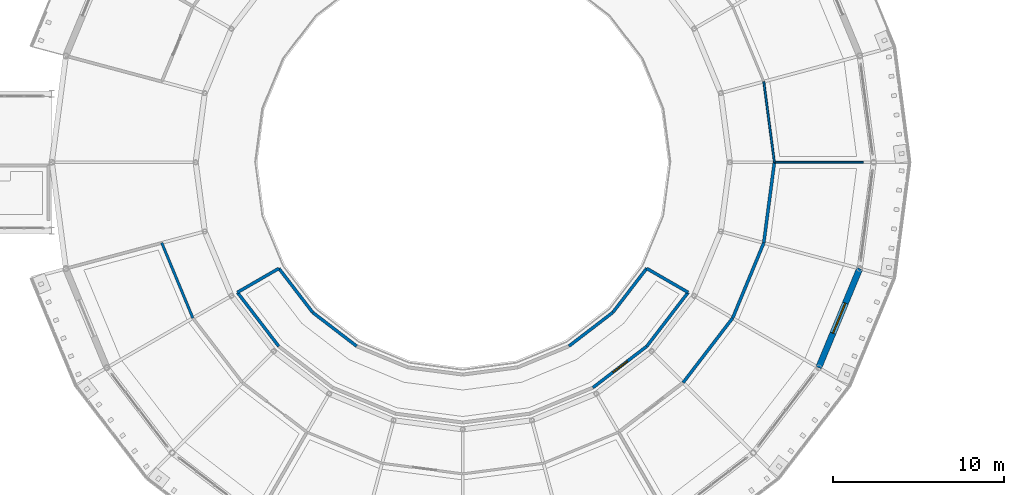
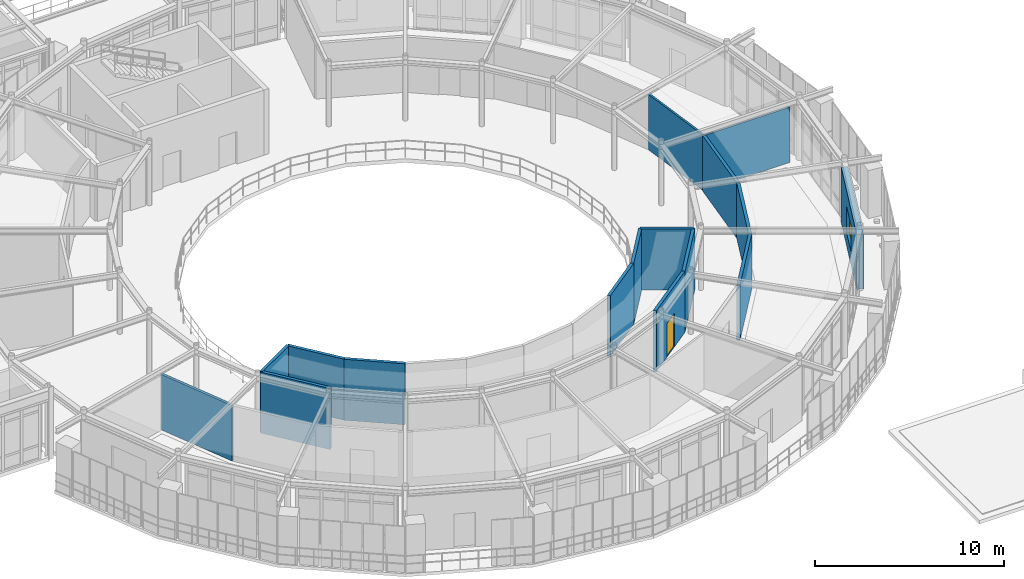
# One storey, part 74 of 90: 16 walls, 1 door, 1 window, 2 openings.
"""IFC4 building model written with IfcOpenShell, lengths in metres."""

from ifc_helpers import new_model, si_unit, derived_unit, direction, frame, frame_2d, origin, place, context, subcontext, project, spatial, rectangle, extrude, material, layer, layer_set, type_object, element, fill, save


model = new_model("IFC4")

# Units and contexts
model_context = context("Model", 3, precision=1e-05, world=origin(), true_north=direction((0.0, 1.0)))
body_context = subcontext(model_context, "Body", "Model", "MODEL_VIEW")
ifc_project = project(units=[si_unit("LENGTHUNIT", "METRE"), si_unit("AREAUNIT", "SQUARE_METRE"), si_unit("VOLUMEUNIT", "CUBIC_METRE"), si_unit("PLANEANGLEUNIT", "RADIAN"), si_unit("MASSUNIT", "GRAM", prefix="KILO"), derived_unit("THERMALTRANSMITTANCEUNIT", [(si_unit("POWERUNIT", "WATT"), 1), (si_unit("AREAUNIT", "SQUARE_METRE"), -1), (si_unit("THERMODYNAMICTEMPERATUREUNIT", "KELVIN"), -1)])], contexts=[model_context])

# Site, building, storey
site_placement = place(None, origin())
site = spatial("IfcSite", under=ifc_project, at=site_placement, CompositionType="ELEMENT")
building_placement = place(site_placement, origin())
building = spatial("IfcBuilding", under=site, at=building_placement, Name="Yasenodar Specialist Clinic", CompositionType="ELEMENT")
storey_placement = place(building_placement, frame((0.0, 0.0, 9.0)))
storey = spatial("IfcBuildingStorey", under=building, at=storey_placement, Name="L02", CompositionType="ELEMENT", Elevation=9.0)

# Wall, opening, window
ifc_material_1 = material(Name="Drum Insulated Terracotta Chord Wall", Category="masonry")
ifc_layer_1 = layer(ifc_material_1, 0.364990234375)
ifc_layer_set_1 = layer_set([ifc_layer_1], Name="Drum Insulated Terracotta Chord Wall")
wall_type_1 = type_object("IfcWallType", Name="EW-DRUM-365", PredefinedType="SOLIDWALL", material=ifc_layer_set_1)
wall_1_placement = place(storey_placement, frame((104.18212890625, 52.58837890625, 0.0), z_axis=(0.0, 0.0, 1.0), x_axis=(-0.382663829839, -0.9238876519, 0.0)))
wall_1 = element("IfcWall", 1, at=wall_1_placement, inside=storey, type_object=wall_type_1, Name="L02 Exterior Facade Wall 0023", PredefinedType="SOLIDWALL", context=body_context, shape_type="SweptSolid", body=[
    extrude(rectangle(XDim=6.26513671875, YDim=0.364990234375, at=frame_2d((3.132568359375, 0.0))), origin(), (0.0, 0.0, 1.0), 3.5380859375),
])
opening_1_placement = place(wall_1_placement, frame((2.1826171875, 0.0, 0.85009765625)))
opening_1 = element("IfcOpeningElement", 2, at=opening_1_placement, cuts=wall_1, Name="Opening W-17", PredefinedType="OPENING", context=body_context, shape_type="SweptSolid", body=[
    extrude(rectangle(XDim=1.89990234375, YDim=1.699951171875, at=frame_2d((0.949951171875, 0.85009765625))), frame((0.0, 0.1923828125, 0.0), z_axis=(0.0, -1.0, 0.0), x_axis=(1.0, 0.0, 0.0)), (0.0, 0.0, 1.0), 0.385009765625),
])
ifc_material_2 = material(Name="Triple Low-E Argon Glazing in Bronze Aluminium Frame", Category="aluminium")
window_type = type_object("IfcWindowType", Name="WIN-EXT-17", PartitioningType="SINGLE_PANEL", PredefinedType="WINDOW", material=ifc_material_2)
window_placement = place(opening_1_placement, origin())
window = element("IfcWindow", 3, at=window_placement, inside=storey, type_object=window_type, Name="L02 Triple-Glazed Reveal Window 0013", OverallHeight=1.699951171875, OverallWidth=1.89990234375, PartitioningType="SINGLE_PANEL", PredefinedType="WINDOW", context=body_context, shape_type="SweptSolid", body=[
    extrude(rectangle(XDim=1.89990234375, YDim=1.699951171875, at=frame_2d((0.949951171875, 0.85009765625))), frame((0.0, 0.030029296875, 0.0), z_axis=(0.0, -1.0, 0.0), x_axis=(1.0, 0.0, 0.0)), (0.0, 0.0, 1.0), 0.06005859375),
])
fill(opening_1, window)

# Walls
ifc_material_3 = material(Name="Outpatient Examination Partition")
ifc_layer_2 = layer(ifc_material_3, 0.14990234375)
ifc_layer_set_2 = layer_set([ifc_layer_2], Name="Outpatient Examination Partition")
wall_type_2 = type_object("IfcWallType", Name="IW-CONS-150", PredefinedType="PARTITIONING", material=ifc_layer_set_2)
wall_2_placement = place(storey_placement, frame((63.420166015625, 54.089599609375, 0.0), z_axis=(0.0, 0.0, 1.0), x_axis=(0.382658877568, -0.923889703059, 0.0)))
element("IfcWall", 4, at=wall_2_placement, inside=storey, type_object=wall_type_2, Name="L02 Neurology Day-Infusion Suite Partition", PredefinedType="PARTITIONING", context=body_context, shape_type="SweptSolid", body=[
    extrude(rectangle(XDim=4.751220703125, YDim=0.14990234375, at=frame_2d((2.37548828125, 0.0))), origin(), (0.0, 0.0, 1.0), 3.568115234375),
])
ifc_material_4 = material(Name="Lightweight Counseling Partition")
ifc_layer_3 = layer(ifc_material_4, 0.114990234375)
ifc_layer_set_3 = layer_set([ifc_layer_3], Name="Lightweight Counseling Partition")
wall_type_3 = type_object("IfcWallType", Name="IW-PART-115", PredefinedType="PARTITIONING", material=ifc_layer_set_3)
wall_3_placement = place(storey_placement, frame((99.199951171875, 58.800048828125, 0.0), z_axis=(0.0, 0.0, 1.0), x_axis=(-0.130520975042, 0.991445548214, 0.0)))
element("IfcWall", 5, at=wall_3_placement, inside=storey, type_object=wall_type_3, Name="L02 Targeted Biologics Infusion Suite Partition", PredefinedType="PARTITIONING", context=body_context, shape_type="SweptSolid", body=[
    extrude(rectangle(XDim=4.7509765625, YDim=0.114990234375, at=frame_2d((2.37548828125, 0.0))), origin(), (0.0, 0.0, 1.0), 3.568115234375),
])
wall_4_placement = place(storey_placement, frame((104.39990234375, 58.800048828125, 0.0), z_axis=(0.0, 0.0, 1.0), x_axis=(-1.0, 0.0, 0.0)))
element("IfcWall", 6, at=wall_4_placement, inside=storey, type_object=wall_type_3, Name="L02 Targeted Biologics Infusion Suite Partition", PredefinedType="PARTITIONING", context=body_context, shape_type="SweptSolid", body=[
    extrude(rectangle(XDim=5.199951171875, YDim=0.114990234375, at=frame_2d((2.60009765625, 0.0))), origin(), (0.0, 0.0, 1.0), 3.568115234375),
])
ifc_material_5 = material(Name="Hygienic Double-Stud Clinical Partition")
ifc_layer_4 = layer(ifc_material_5, 0.179931640625)
ifc_layer_set_4 = layer_set([ifc_layer_4], Name="Hygienic Double-Stud Clinical Partition")
wall_type_4 = type_object("IfcWallType", Name="IW-PROC-180", PredefinedType="PARTITIONING", material=ifc_layer_set_4)
for number, where, z_axis, x_axis, name in (
    (7, (93.869384765625, 45.9306640625, 0.0), (0.0, 0.0, 1.0), (0.608769147025, 0.793347417989, 0.0), "L02 Post-Infusion Quiet Recovery Lounge Partition"),
    (8, (96.76171875, 49.699951171875, 0.0), (0.0, 0.0, 1.0), (0.382658877568, 0.923889703059, 0.0), "L02 Post-Infusion Quiet Recovery Lounge Partition"),
):
    element("IfcWall", number, at=place(storey_placement, frame(where, z_axis=z_axis, x_axis=x_axis)), inside=storey, type_object=wall_type_4, Name=name, PredefinedType="PARTITIONING", context=body_context, shape_type="SweptSolid", body=[
        extrude(rectangle(XDim=4.751220703125, YDim=0.179931640625, at=frame_2d((2.37548828125, 0.0))), origin(), (0.0, 0.0, 1.0), 3.568115234375),
    ])
wall_5_placement = place(storey_placement, frame((98.579833984375, 54.089599609375, 0.0), z_axis=(0.0, 0.0, 1.0), x_axis=(0.130561305543, 0.991440237985, 0.0)))
element("IfcWall", 9, at=wall_5_placement, inside=storey, type_object=wall_type_4, Name="L02 Post-Infusion Quiet Recovery Lounge Partition", PredefinedType="PARTITIONING", context=body_context, shape_type="SweptSolid", body=[
    extrude(rectangle(XDim=4.73095703125, YDim=0.179931640625, at=frame_2d((2.365478515625, 0.0))), origin(), (0.0, 0.0, 1.0), 3.568115234375),
])

# Wall, opening, door
wall_6_placement = place(storey_placement, frame((91.748046875, 48.052001953125, 0.0), z_axis=(0.0, 0.0, 1.0), x_axis=(-0.79335079014, -0.608764752416, 0.0)))
wall_6 = element("IfcWall", 10, at=wall_6_placement, inside=storey, type_object=wall_type_4, Name="L02 Upper Drum Observation Gallery Partition", PredefinedType="PARTITIONING", context=body_context, shape_type="SweptSolid", body=[
    extrude(rectangle(XDim=3.968017578125, YDim=0.179931640625, at=frame_2d((1.98388671875, 0.0))), origin(), (0.0, 0.0, 1.0), 3.929931640625),
])
opening_2_placement = place(wall_6_placement, frame((1.43408203125, 0.0, 0.0)))
opening_2 = element("IfcOpeningElement", 11, at=opening_2_placement, cuts=wall_6, Name="Opening D-04", PredefinedType="OPENING", context=body_context, shape_type="SweptSolid", body=[
    extrude(rectangle(XDim=1.06005859375, YDim=2.159912109375, at=frame_2d((0.530029296875, 1.080078125))), frame((0.0, 0.10009765625, 0.0), z_axis=(0.0, -1.0, 0.0), x_axis=(1.0, 0.0, 0.0)), (0.0, 0.0, 1.0), 0.199951171875),
])
ifc_material_6 = material(Name="Powder-Coated Steel and Acoustic Laminate Leaf", Category="steel")
door_type = type_object("IfcDoorType", Name="DR-CLN-106", OperationType="NOTDEFINED", PredefinedType="DOOR", material=ifc_material_6)
door_placement = place(opening_2_placement, origin())
door = element("IfcDoor", 12, at=door_placement, inside=storey, type_object=door_type, Name="L02 Upper Drum Observation Gallery Door", OperationType="SINGLE_SWING_LEFT", OverallHeight=2.159912109375, OverallWidth=1.06005859375, PredefinedType="DOOR", context=body_context, shape_type="SweptSolid", body=[
    extrude(rectangle(XDim=1.06005859375, YDim=2.159912109375, at=frame_2d((0.530029296875, 1.080078125))), frame((0.0, 0.02490234375, 0.0), z_axis=(0.0, -1.0, 0.0), x_axis=(1.0, 0.0, 0.0)), (0.0, 0.0, 1.0), 0.050048828125),
])
fill(opening_2, door)

# Walls
for number, where, z_axis, x_axis, name in (
    (13, (94.16357421875, 51.199951171875, 0.0), (0.0, 0.0, 1.0), (-0.608764752416, -0.79335079014, 0.0), "L02 Upper Drum Observation Gallery Partition"),
    (14, (70.251953125, 48.052001953125, 0.0), (0.0, 0.0, 1.0), (-0.608764752416, 0.79335079014, 0.0), "L02 Upper Drum Observation Gallery Partition"),
):
    element("IfcWall", number, at=place(storey_placement, frame(where, z_axis=z_axis, x_axis=x_axis)), inside=storey, type_object=wall_type_4, Name=name, PredefinedType="PARTITIONING", context=body_context, shape_type="SweptSolid", body=[
        extrude(rectangle(XDim=3.968017578125, YDim=0.179931640625, at=frame_2d((1.98388671875, 0.0))), origin(), (0.0, 0.0, 1.0), 3.929931640625),
    ])
for number, where, z_axis, x_axis, name in (
    (15, (70.26123046875, 52.60009765625, 0.0), (0.0, 0.0, 1.0), (0.608784566083, -0.793335586054, 0.0), "L02 Upper Drum Observation Gallery Partition"),
    (16, (72.23193359375, 50.031982421875, 0.0), (0.0, 0.0, 1.0), (0.793335586054, -0.608784566083, 0.0), "L02 Upper Drum Observation Gallery Partition"),
    (17, (87.199951171875, 48.061279296875, 0.0), (0.0, 0.0, 1.0), (0.793335586054, 0.608784566083, 0.0), "L02 Upper Drum Observation Gallery Partition"),
    (18, (89.76806640625, 50.031982421875, 0.0), (0.0, 0.0, 1.0), (0.608784566083, 0.793335586054, 0.0), "L02 Upper Drum Observation Gallery Partition"),
):
    element("IfcWall", number, at=place(storey_placement, frame(where, z_axis=z_axis, x_axis=x_axis)), inside=storey, type_object=wall_type_4, Name=name, PredefinedType="PARTITIONING", context=body_context, shape_type="SweptSolid", body=[
        extrude(rectangle(XDim=3.237060546875, YDim=0.179931640625, at=frame_2d((1.61865234375, 0.0))), origin(), (0.0, 0.0, 1.0), 3.929931640625),
    ])
for number, where, z_axis, x_axis, name in (
    (19, (91.73876953125, 52.60009765625, 0.0), (0.0, 0.0, 1.0), (0.865996816683, -0.500049511043, 0.0), "L02 Upper Drum Observation Gallery Partition"),
    (20, (67.83642578125, 51.199951171875, 0.0), (0.0, 0.0, 1.0), (0.865996816683, 0.500049511043, 0.0), "L02 Upper Drum Observation Gallery Partition"),
):
    element("IfcWall", number, at=place(storey_placement, frame(where, z_axis=z_axis, x_axis=x_axis)), inside=storey, type_object=wall_type_4, Name=name, PredefinedType="PARTITIONING", context=body_context, shape_type="SweptSolid", body=[
        extrude(rectangle(XDim=2.800048828125, YDim=0.179931640625, at=frame_2d((1.39990234375, 0.0))), origin(), (0.0, 0.0, 1.0), 3.929931640625),
    ])

save(model, "model.ifc")
